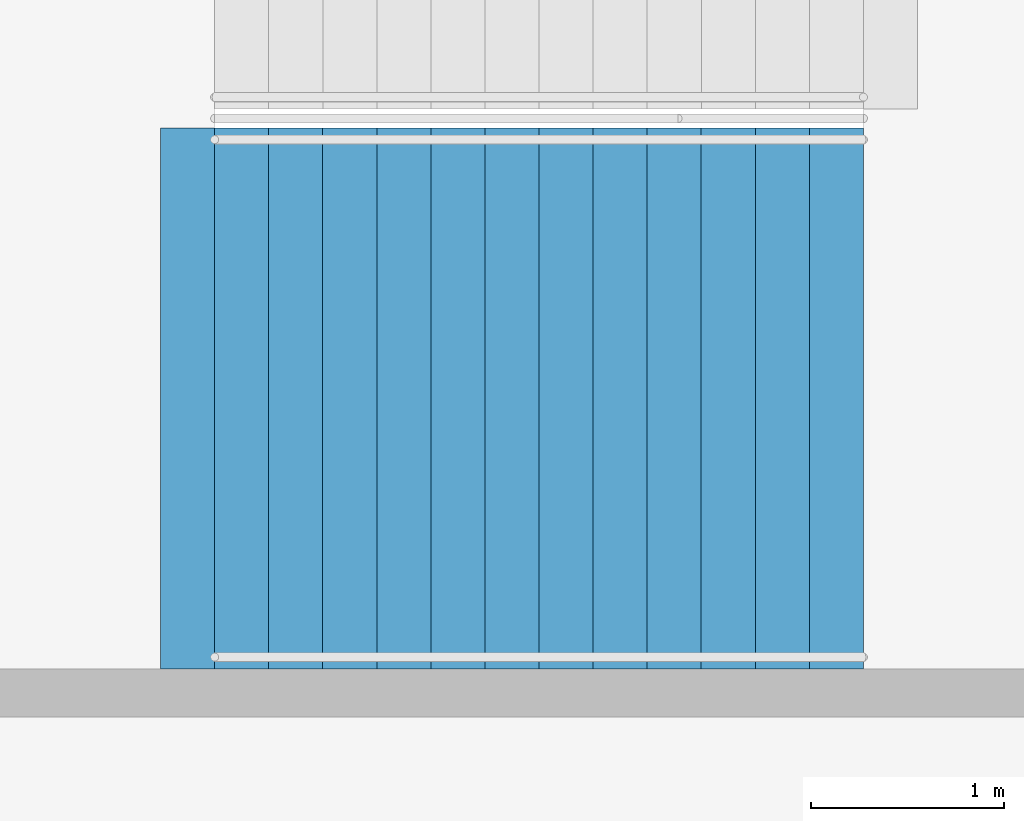
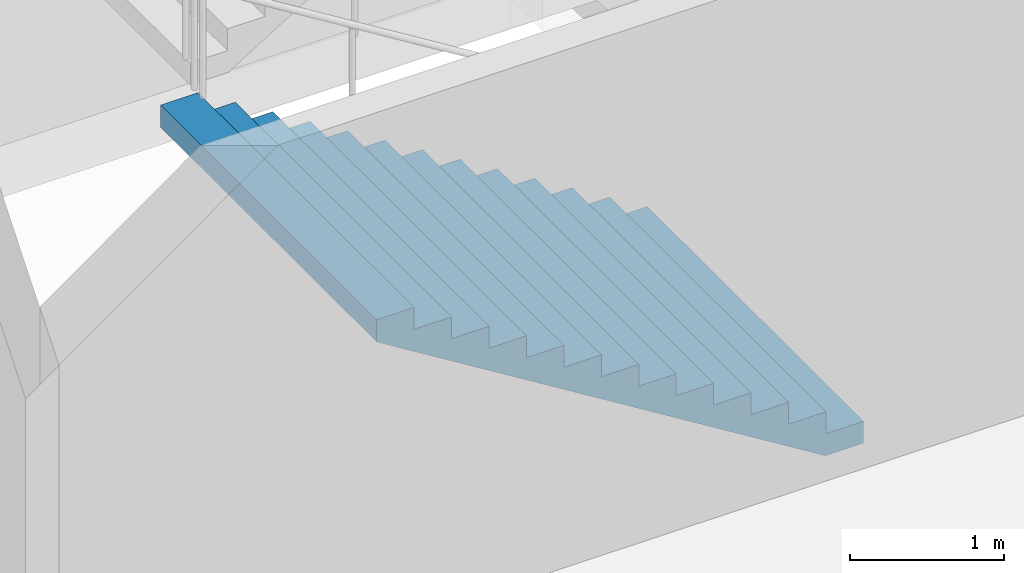
# One storey, part 108 of 177: 1 stair flight, 1 element without a shape of its own.
"""IFC4 building model written with IfcOpenShell, lengths in metres."""

from ifc_helpers import new_model, si_unit, direction, frame, origin, place, context, subcontext, project, spatial, faceted_brep, material, type_object, element, aggregate, save


model = new_model("IFC4")

# Units and contexts
model_context = context("Model", 3, precision=1e-05, world=origin(), true_north=direction((0.0, 1.0)))
body_context = subcontext(model_context, "Body", "Model", "MODEL_VIEW")
ifc_project = project(units=[si_unit("LENGTHUNIT", "METRE"), si_unit("AREAUNIT", "SQUARE_METRE"), si_unit("VOLUMEUNIT", "CUBIC_METRE"), si_unit("PLANEANGLEUNIT", "RADIAN"), si_unit("MASSUNIT", "GRAM", prefix="KILO")], contexts=[model_context])

# Site, building, storey
site_placement = place(None, origin())
site = spatial("IfcSite", under=ifc_project, at=site_placement, CompositionType="ELEMENT")
building_placement = place(site_placement, origin())
building = spatial("IfcBuilding", under=site, at=building_placement, Name="Ogive Plaza Stadium", CompositionType="ELEMENT")
storey_placement = place(building_placement, frame((0.0, 0.0, 18.0)))
storey = spatial("IfcBuildingStorey", under=building, at=storey_placement, Name="L04", CompositionType="ELEMENT", Elevation=18.0)

# Stair, stair flight
ifc_material_1 = material(Name="Concrete C40/50", Category="concrete")
stair_type = type_object("IfcStairType", Name="Exit stair", PredefinedType="STRAIGHT_RUN_STAIR", material=ifc_material_1)
stair_placement = place(storey_placement, origin())
stair = element("IfcStair", 1, at=stair_placement, inside=storey, type_object=stair_type, Name="Exit stair ST24B L04 to L05", PredefinedType="STRAIGHT_RUN_STAIR")
ifc_material_2 = material(Name="Concrete C40/50", Category="concrete")
stair_flight_type = type_object("IfcStairFlightType", Name="Exit stair flight", PredefinedType="STRAIGHT", material=ifc_material_2)
stair_flight_placement = place(storey_placement, frame((-76.35009765625, -11.925048828125, 0.0), z_axis=(0.0, 0.0, 1.0), x_axis=(-1.0, 0.0, 0.0)))
stair_flight = element("IfcStairFlight", 2, at=stair_flight_placement, type_object=stair_flight_type, Name="ST24B flight 1", NumberOfRisers=13, NumberOfTreads=12, PredefinedType="STRAIGHT", RiserHeight=0.173076923, TreadLength=0.28, context=body_context, shape_type="Brep", body=[
    faceted_brep([(0.28515625, -1.39990234375, 0.0), (3.639892578125, -1.39990234375, 2.07373046875), (3.639892578125, -1.39990234375, 2.25), (3.360107421875, -1.39990234375, 2.25), (3.360107421875, -1.39990234375, 2.076904296875), (3.080078125, -1.39990234375, 2.076904296875), (3.080078125, -1.39990234375, 1.90380859375), (2.800048828125, -1.39990234375, 1.90380859375), (2.800048828125, -1.39990234375, 1.730712890625), (2.52001953125, -1.39990234375, 1.730712890625), (2.52001953125, -1.39990234375, 1.5576171875), (2.239990234375, -1.39990234375, 1.5576171875), (2.239990234375, -1.39990234375, 1.384521484375), (1.9599609375, -1.39990234375, 1.384521484375), (1.9599609375, -1.39990234375, 1.21142578125), (1.679931640625, -1.39990234375, 1.21142578125), (1.679931640625, -1.39990234375, 1.03857421875), (1.39990234375, -1.39990234375, 1.03857421875), (1.39990234375, -1.39990234375, 0.865478515625), (1.1201171875, -1.39990234375, 0.865478515625), (1.1201171875, -1.39990234375, 0.6923828125), (0.840087890625, -1.39990234375, 0.6923828125), (0.840087890625, -1.39990234375, 0.519287109375), (0.56005859375, -1.39990234375, 0.519287109375), (0.56005859375, -1.39990234375, 0.34619140625), (0.280029296875, -1.39990234375, 0.34619140625), (0.280029296875, -1.39990234375, 0.173095703125), (0.0, -1.39990234375, 0.173095703125), (0.0, -1.39990234375, 0.0), (0.0, 1.39990234375, 0.0), (0.0, 1.39990234375, 0.173095703125), (0.280029296875, 1.39990234375, 0.173095703125), (0.280029296875, 1.39990234375, 0.34619140625), (0.56005859375, 1.39990234375, 0.34619140625), (0.56005859375, 1.39990234375, 0.519287109375), (0.840087890625, 1.39990234375, 0.519287109375), (0.840087890625, 1.39990234375, 0.6923828125), (1.1201171875, 1.39990234375, 0.6923828125), (1.1201171875, 1.39990234375, 0.865478515625), (1.39990234375, 1.39990234375, 0.865478515625), (1.39990234375, 1.39990234375, 1.03857421875), (1.679931640625, 1.39990234375, 1.03857421875), (1.679931640625, 1.39990234375, 1.21142578125), (1.9599609375, 1.39990234375, 1.21142578125), (1.9599609375, 1.39990234375, 1.384521484375), (2.239990234375, 1.39990234375, 1.384521484375), (2.239990234375, 1.39990234375, 1.5576171875), (2.52001953125, 1.39990234375, 1.5576171875), (2.52001953125, 1.39990234375, 1.730712890625), (2.800048828125, 1.39990234375, 1.730712890625), (2.800048828125, 1.39990234375, 1.90380859375), (3.080078125, 1.39990234375, 1.90380859375), (3.080078125, 1.39990234375, 2.076904296875), (3.360107421875, 1.39990234375, 2.076904296875), (3.360107421875, 1.39990234375, 2.25), (3.639892578125, 1.39990234375, 2.25), (3.639892578125, 1.39990234375, 2.07373046875), (0.28515625, 1.39990234375, 0.0), (0.28515625, -1.0888671875, 0.0), (3.639892578125, -1.0888671875, 2.07373046875), (0.28515625, -0.77783203125, 0.0), (3.639892578125, -0.77783203125, 2.07373046875), (0.28515625, -0.466796875, 0.0), (3.639892578125, -0.466796875, 2.07373046875), (0.28515625, -0.155517578125, 0.0), (3.639892578125, -0.155517578125, 2.07373046875), (0.28515625, 0.155517578125, 0.0), (3.639892578125, 0.155517578125, 2.07373046875), (0.28515625, 0.466796875, 0.0), (3.639892578125, 0.466796875, 2.07373046875), (0.28515625, 0.77783203125, 0.0), (3.639892578125, 0.77783203125, 2.07373046875), (0.28515625, 1.0888671875, 0.0), (3.639892578125, 1.0888671875, 2.07373046875), (3.639892578125, -1.0888671875, 2.25), (3.639892578125, -0.77783203125, 2.25), (3.639892578125, -0.466796875, 2.25), (3.639892578125, -0.155517578125, 2.25), (3.639892578125, 0.155517578125, 2.25), (3.639892578125, 0.466796875, 2.25), (3.639892578125, 0.77783203125, 2.25), (3.639892578125, 1.0888671875, 2.25), (3.360107421875, -1.0888671875, 2.25), (3.360107421875, -0.77783203125, 2.25), (3.360107421875, -0.466796875, 2.25), (3.360107421875, -0.155517578125, 2.25), (3.360107421875, 0.155517578125, 2.25), (3.360107421875, 0.466796875, 2.25), (3.360107421875, 0.77783203125, 2.25), (3.360107421875, 1.0888671875, 2.25), (3.360107421875, -1.0888671875, 2.076904296875), (3.360107421875, -0.77783203125, 2.076904296875), (3.360107421875, -0.466796875, 2.076904296875), (3.360107421875, -0.155517578125, 2.076904296875), (3.360107421875, 0.155517578125, 2.076904296875), (3.360107421875, 0.466796875, 2.076904296875), (3.360107421875, 0.77783203125, 2.076904296875), (3.360107421875, 1.0888671875, 2.076904296875), (3.080078125, -1.0888671875, 2.076904296875), (3.080078125, -0.77783203125, 2.076904296875), (3.080078125, -0.466796875, 2.076904296875), (3.080078125, -0.155517578125, 2.076904296875), (3.080078125, 0.155517578125, 2.076904296875), (3.080078125, 0.466796875, 2.076904296875), (3.080078125, 0.77783203125, 2.076904296875), (3.080078125, 1.0888671875, 2.076904296875), (3.080078125, -1.0888671875, 1.90380859375), (3.080078125, -0.77783203125, 1.90380859375), (3.080078125, -0.466796875, 1.90380859375), (3.080078125, -0.155517578125, 1.90380859375), (3.080078125, 0.155517578125, 1.90380859375), (3.080078125, 0.466796875, 1.90380859375), (3.080078125, 0.77783203125, 1.90380859375), (3.080078125, 1.0888671875, 1.90380859375), (2.800048828125, -1.0888671875, 1.90380859375), (2.800048828125, -0.77783203125, 1.90380859375), (2.800048828125, -0.466796875, 1.90380859375), (2.800048828125, -0.155517578125, 1.90380859375), (2.800048828125, 0.155517578125, 1.90380859375), (2.800048828125, 0.466796875, 1.90380859375), (2.800048828125, 0.77783203125, 1.90380859375), (2.800048828125, 1.0888671875, 1.90380859375), (2.800048828125, -1.0888671875, 1.730712890625), (2.800048828125, -0.77783203125, 1.730712890625), (2.800048828125, -0.466796875, 1.730712890625), (2.800048828125, -0.155517578125, 1.730712890625), (2.800048828125, 0.155517578125, 1.730712890625), (2.800048828125, 0.466796875, 1.730712890625), (2.800048828125, 0.77783203125, 1.730712890625), (2.800048828125, 1.0888671875, 1.730712890625), (2.52001953125, -1.0888671875, 1.730712890625), (2.52001953125, -0.77783203125, 1.730712890625), (2.52001953125, -0.466796875, 1.730712890625), (2.52001953125, -0.155517578125, 1.730712890625), (2.52001953125, 0.155517578125, 1.730712890625), (2.52001953125, 0.466796875, 1.730712890625), (2.52001953125, 0.77783203125, 1.730712890625), (2.52001953125, 1.0888671875, 1.730712890625), (2.52001953125, -1.0888671875, 1.5576171875), (2.52001953125, -0.77783203125, 1.5576171875), (2.52001953125, -0.466796875, 1.5576171875), (2.52001953125, -0.155517578125, 1.5576171875), (2.52001953125, 0.155517578125, 1.5576171875), (2.52001953125, 0.466796875, 1.5576171875), (2.52001953125, 0.77783203125, 1.5576171875), (2.52001953125, 1.0888671875, 1.5576171875), (2.239990234375, -1.0888671875, 1.5576171875), (2.239990234375, -0.77783203125, 1.5576171875), (2.239990234375, -0.466796875, 1.5576171875), (2.239990234375, -0.155517578125, 1.5576171875), (2.239990234375, 0.155517578125, 1.5576171875), (2.239990234375, 0.466796875, 1.5576171875), (2.239990234375, 0.77783203125, 1.5576171875), (2.239990234375, 1.0888671875, 1.5576171875), (2.239990234375, -1.0888671875, 1.384521484375), (2.239990234375, -0.77783203125, 1.384521484375), (2.239990234375, -0.466796875, 1.384521484375), (2.239990234375, -0.155517578125, 1.384521484375), (2.239990234375, 0.155517578125, 1.384521484375), (2.239990234375, 0.466796875, 1.384521484375), (2.239990234375, 0.77783203125, 1.384521484375), (2.239990234375, 1.0888671875, 1.384521484375), (1.9599609375, -1.0888671875, 1.384521484375), (1.9599609375, -0.77783203125, 1.384521484375), (1.9599609375, -0.466796875, 1.384521484375), (1.9599609375, -0.155517578125, 1.384521484375), (1.9599609375, 0.155517578125, 1.384521484375), (1.9599609375, 0.466796875, 1.384521484375), (1.9599609375, 0.77783203125, 1.384521484375), (1.9599609375, 1.0888671875, 1.384521484375), (1.9599609375, -1.0888671875, 1.21142578125), (1.9599609375, -0.77783203125, 1.21142578125), (1.9599609375, -0.466796875, 1.21142578125), (1.9599609375, -0.155517578125, 1.21142578125), (1.9599609375, 0.155517578125, 1.21142578125), (1.9599609375, 0.466796875, 1.21142578125), (1.9599609375, 0.77783203125, 1.21142578125), (1.9599609375, 1.0888671875, 1.21142578125), (1.679931640625, -1.0888671875, 1.21142578125), (1.679931640625, -0.77783203125, 1.21142578125), (1.679931640625, -0.466796875, 1.21142578125), (1.679931640625, -0.155517578125, 1.21142578125), (1.679931640625, 0.155517578125, 1.21142578125), (1.679931640625, 0.466796875, 1.21142578125), (1.679931640625, 0.77783203125, 1.21142578125), (1.679931640625, 1.0888671875, 1.21142578125), (1.679931640625, -1.0888671875, 1.03857421875), (1.679931640625, -0.77783203125, 1.03857421875), (1.679931640625, -0.466796875, 1.03857421875), (1.679931640625, -0.155517578125, 1.03857421875), (1.679931640625, 0.155517578125, 1.03857421875), (1.679931640625, 0.466796875, 1.03857421875), (1.679931640625, 0.77783203125, 1.03857421875), (1.679931640625, 1.0888671875, 1.03857421875), (1.39990234375, -1.0888671875, 1.03857421875), (1.39990234375, -0.77783203125, 1.03857421875), (1.39990234375, -0.466796875, 1.03857421875), (1.39990234375, -0.155517578125, 1.03857421875), (1.39990234375, 0.155517578125, 1.03857421875), (1.39990234375, 0.466796875, 1.03857421875), (1.39990234375, 0.77783203125, 1.03857421875), (1.39990234375, 1.0888671875, 1.03857421875), (1.39990234375, -1.0888671875, 0.865478515625), (1.39990234375, -0.77783203125, 0.865478515625), (1.39990234375, -0.466796875, 0.865478515625), (1.39990234375, -0.155517578125, 0.865478515625), (1.39990234375, 0.155517578125, 0.865478515625), (1.39990234375, 0.466796875, 0.865478515625), (1.39990234375, 0.77783203125, 0.865478515625), (1.39990234375, 1.0888671875, 0.865478515625), (1.1201171875, -1.0888671875, 0.865478515625), (1.1201171875, -0.77783203125, 0.865478515625), (1.1201171875, -0.466796875, 0.865478515625), (1.1201171875, -0.155517578125, 0.865478515625), (1.1201171875, 0.155517578125, 0.865478515625), (1.1201171875, 0.466796875, 0.865478515625), (1.1201171875, 0.77783203125, 0.865478515625), (1.1201171875, 1.0888671875, 0.865478515625), (1.1201171875, -1.0888671875, 0.6923828125), (1.1201171875, -0.77783203125, 0.6923828125), (1.1201171875, -0.466796875, 0.6923828125), (1.1201171875, -0.155517578125, 0.6923828125), (1.1201171875, 0.155517578125, 0.6923828125), (1.1201171875, 0.466796875, 0.6923828125), (1.1201171875, 0.77783203125, 0.6923828125), (1.1201171875, 1.0888671875, 0.6923828125), (0.840087890625, -1.0888671875, 0.6923828125), (0.840087890625, -0.77783203125, 0.6923828125), (0.840087890625, -0.466796875, 0.6923828125), (0.840087890625, -0.155517578125, 0.6923828125), (0.840087890625, 0.155517578125, 0.6923828125), (0.840087890625, 0.466796875, 0.6923828125), (0.840087890625, 0.77783203125, 0.6923828125), (0.840087890625, 1.0888671875, 0.6923828125), (0.840087890625, -1.0888671875, 0.519287109375), (0.840087890625, -0.77783203125, 0.519287109375), (0.840087890625, -0.466796875, 0.519287109375), (0.840087890625, -0.155517578125, 0.519287109375), (0.840087890625, 0.155517578125, 0.519287109375), (0.840087890625, 0.466796875, 0.519287109375), (0.840087890625, 0.77783203125, 0.519287109375), (0.840087890625, 1.0888671875, 0.519287109375), (0.56005859375, -1.0888671875, 0.519287109375), (0.56005859375, -0.77783203125, 0.519287109375), (0.56005859375, -0.466796875, 0.519287109375), (0.56005859375, -0.155517578125, 0.519287109375), (0.56005859375, 0.155517578125, 0.519287109375), (0.56005859375, 0.466796875, 0.519287109375), (0.56005859375, 0.77783203125, 0.519287109375), (0.56005859375, 1.0888671875, 0.519287109375), (0.56005859375, -1.0888671875, 0.34619140625), (0.56005859375, -0.77783203125, 0.34619140625), (0.56005859375, -0.466796875, 0.34619140625), (0.56005859375, -0.155517578125, 0.34619140625), (0.56005859375, 0.155517578125, 0.34619140625), (0.56005859375, 0.466796875, 0.34619140625), (0.56005859375, 0.77783203125, 0.34619140625), (0.56005859375, 1.0888671875, 0.34619140625), (0.280029296875, -1.0888671875, 0.34619140625), (0.280029296875, -0.77783203125, 0.34619140625), (0.280029296875, -0.466796875, 0.34619140625), (0.280029296875, -0.155517578125, 0.34619140625), (0.280029296875, 0.155517578125, 0.34619140625), (0.280029296875, 0.466796875, 0.34619140625), (0.280029296875, 0.77783203125, 0.34619140625), (0.280029296875, 1.0888671875, 0.34619140625), (0.280029296875, -1.0888671875, 0.173095703125), (0.280029296875, -0.77783203125, 0.173095703125), (0.280029296875, -0.466796875, 0.173095703125), (0.280029296875, -0.155517578125, 0.173095703125), (0.280029296875, 0.155517578125, 0.173095703125), (0.280029296875, 0.466796875, 0.173095703125), (0.280029296875, 0.77783203125, 0.173095703125), (0.280029296875, 1.0888671875, 0.173095703125), (0.0, -1.0888671875, 0.173095703125), (0.0, -0.77783203125, 0.173095703125), (0.0, -0.466796875, 0.173095703125), (0.0, -0.155517578125, 0.173095703125), (0.0, 0.155517578125, 0.173095703125), (0.0, 0.466796875, 0.173095703125), (0.0, 0.77783203125, 0.173095703125), (0.0, 1.0888671875, 0.173095703125), (0.0, -1.0888671875, 0.0), (0.0, -0.77783203125, 0.0), (0.0, -0.466796875, 0.0), (0.0, -0.155517578125, 0.0), (0.0, 0.155517578125, 0.0), (0.0, 0.466796875, 0.0), (0.0, 0.77783203125, 0.0), (0.0, 1.0888671875, 0.0)], [[[0, 1, 2, 3, 4, 5, 6, 7, 8, 9, 10, 11, 12, 13, 14, 15, 16, 17, 18, 19, 20, 21, 22, 23, 24, 25, 26, 27, 28]], [[29, 30, 31, 32, 33, 34, 35, 36, 37, 38, 39, 40, 41, 42, 43, 44, 45, 46, 47, 48, 49, 50, 51, 52, 53, 54, 55, 56, 57]], [[0, 58, 59, 1]], [[58, 60, 61, 59]], [[60, 62, 63, 61]], [[62, 64, 65, 63]], [[64, 66, 67, 65]], [[66, 68, 69, 67]], [[68, 70, 71, 69]], [[70, 72, 73, 71]], [[72, 57, 56, 73]], [[1, 59, 74, 2]], [[59, 61, 75, 74]], [[61, 63, 76, 75]], [[63, 65, 77, 76]], [[65, 67, 78, 77]], [[67, 69, 79, 78]], [[69, 71, 80, 79]], [[71, 73, 81, 80]], [[73, 56, 55, 81]], [[2, 74, 82, 3]], [[74, 75, 83, 82]], [[75, 76, 84, 83]], [[76, 77, 85, 84]], [[77, 78, 86, 85]], [[78, 79, 87, 86]], [[79, 80, 88, 87]], [[80, 81, 89, 88]], [[81, 55, 54, 89]], [[3, 82, 90, 4]], [[82, 83, 91, 90]], [[83, 84, 92, 91]], [[84, 85, 93, 92]], [[85, 86, 94, 93]], [[86, 87, 95, 94]], [[87, 88, 96, 95]], [[88, 89, 97, 96]], [[89, 54, 53, 97]], [[4, 90, 98, 5]], [[90, 91, 99, 98]], [[91, 92, 100, 99]], [[92, 93, 101, 100]], [[93, 94, 102, 101]], [[94, 95, 103, 102]], [[95, 96, 104, 103]], [[96, 97, 105, 104]], [[97, 53, 52, 105]], [[5, 98, 106, 6]], [[98, 99, 107, 106]], [[99, 100, 108, 107]], [[100, 101, 109, 108]], [[101, 102, 110, 109]], [[102, 103, 111, 110]], [[103, 104, 112, 111]], [[104, 105, 113, 112]], [[105, 52, 51, 113]], [[6, 106, 114, 7]], [[106, 107, 115, 114]], [[107, 108, 116, 115]], [[108, 109, 117, 116]], [[109, 110, 118, 117]], [[110, 111, 119, 118]], [[111, 112, 120, 119]], [[112, 113, 121, 120]], [[113, 51, 50, 121]], [[7, 114, 122, 8]], [[114, 115, 123, 122]], [[115, 116, 124, 123]], [[116, 117, 125, 124]], [[117, 118, 126, 125]], [[118, 119, 127, 126]], [[119, 120, 128, 127]], [[120, 121, 129, 128]], [[121, 50, 49, 129]], [[8, 122, 130, 9]], [[122, 123, 131, 130]], [[123, 124, 132, 131]], [[124, 125, 133, 132]], [[125, 126, 134, 133]], [[126, 127, 135, 134]], [[127, 128, 136, 135]], [[128, 129, 137, 136]], [[129, 49, 48, 137]], [[9, 130, 138, 10]], [[130, 131, 139, 138]], [[131, 132, 140, 139]], [[132, 133, 141, 140]], [[133, 134, 142, 141]], [[134, 135, 143, 142]], [[135, 136, 144, 143]], [[136, 137, 145, 144]], [[137, 48, 47, 145]], [[10, 138, 146, 11]], [[138, 139, 147, 146]], [[139, 140, 148, 147]], [[140, 141, 149, 148]], [[141, 142, 150, 149]], [[142, 143, 151, 150]], [[143, 144, 152, 151]], [[144, 145, 153, 152]], [[145, 47, 46, 153]], [[11, 146, 154, 12]], [[146, 147, 155, 154]], [[147, 148, 156, 155]], [[148, 149, 157, 156]], [[149, 150, 158, 157]], [[150, 151, 159, 158]], [[151, 152, 160, 159]], [[152, 153, 161, 160]], [[153, 46, 45, 161]], [[12, 154, 162, 13]], [[154, 155, 163, 162]], [[155, 156, 164, 163]], [[156, 157, 165, 164]], [[157, 158, 166, 165]], [[158, 159, 167, 166]], [[159, 160, 168, 167]], [[160, 161, 169, 168]], [[161, 45, 44, 169]], [[13, 162, 170, 14]], [[162, 163, 171, 170]], [[163, 164, 172, 171]], [[164, 165, 173, 172]], [[165, 166, 174, 173]], [[166, 167, 175, 174]], [[167, 168, 176, 175]], [[168, 169, 177, 176]], [[169, 44, 43, 177]], [[14, 170, 178, 15]], [[170, 171, 179, 178]], [[171, 172, 180, 179]], [[172, 173, 181, 180]], [[173, 174, 182, 181]], [[174, 175, 183, 182]], [[175, 176, 184, 183]], [[176, 177, 185, 184]], [[177, 43, 42, 185]], [[15, 178, 186, 16]], [[178, 179, 187, 186]], [[179, 180, 188, 187]], [[180, 181, 189, 188]], [[181, 182, 190, 189]], [[182, 183, 191, 190]], [[183, 184, 192, 191]], [[184, 185, 193, 192]], [[185, 42, 41, 193]], [[16, 186, 194, 17]], [[186, 187, 195, 194]], [[187, 188, 196, 195]], [[188, 189, 197, 196]], [[189, 190, 198, 197]], [[190, 191, 199, 198]], [[191, 192, 200, 199]], [[192, 193, 201, 200]], [[193, 41, 40, 201]], [[17, 194, 202, 18]], [[194, 195, 203, 202]], [[195, 196, 204, 203]], [[196, 197, 205, 204]], [[197, 198, 206, 205]], [[198, 199, 207, 206]], [[199, 200, 208, 207]], [[200, 201, 209, 208]], [[201, 40, 39, 209]], [[18, 202, 210, 19]], [[202, 203, 211, 210]], [[203, 204, 212, 211]], [[204, 205, 213, 212]], [[205, 206, 214, 213]], [[206, 207, 215, 214]], [[207, 208, 216, 215]], [[208, 209, 217, 216]], [[209, 39, 38, 217]], [[19, 210, 218, 20]], [[210, 211, 219, 218]], [[211, 212, 220, 219]], [[212, 213, 221, 220]], [[213, 214, 222, 221]], [[214, 215, 223, 222]], [[215, 216, 224, 223]], [[216, 217, 225, 224]], [[217, 38, 37, 225]], [[20, 218, 226, 21]], [[218, 219, 227, 226]], [[219, 220, 228, 227]], [[220, 221, 229, 228]], [[221, 222, 230, 229]], [[222, 223, 231, 230]], [[223, 224, 232, 231]], [[224, 225, 233, 232]], [[225, 37, 36, 233]], [[21, 226, 234, 22]], [[226, 227, 235, 234]], [[227, 228, 236, 235]], [[228, 229, 237, 236]], [[229, 230, 238, 237]], [[230, 231, 239, 238]], [[231, 232, 240, 239]], [[232, 233, 241, 240]], [[233, 36, 35, 241]], [[22, 234, 242, 23]], [[234, 235, 243, 242]], [[235, 236, 244, 243]], [[236, 237, 245, 244]], [[237, 238, 246, 245]], [[238, 239, 247, 246]], [[239, 240, 248, 247]], [[240, 241, 249, 248]], [[241, 35, 34, 249]], [[23, 242, 250, 24]], [[242, 243, 251, 250]], [[243, 244, 252, 251]], [[244, 245, 253, 252]], [[245, 246, 254, 253]], [[246, 247, 255, 254]], [[247, 248, 256, 255]], [[248, 249, 257, 256]], [[249, 34, 33, 257]], [[24, 250, 258, 25]], [[250, 251, 259, 258]], [[251, 252, 260, 259]], [[252, 253, 261, 260]], [[253, 254, 262, 261]], [[254, 255, 263, 262]], [[255, 256, 264, 263]], [[256, 257, 265, 264]], [[257, 33, 32, 265]], [[25, 258, 266, 26]], [[258, 259, 267, 266]], [[259, 260, 268, 267]], [[260, 261, 269, 268]], [[261, 262, 270, 269]], [[262, 263, 271, 270]], [[263, 264, 272, 271]], [[264, 265, 273, 272]], [[265, 32, 31, 273]], [[26, 266, 274, 27]], [[266, 267, 275, 274]], [[267, 268, 276, 275]], [[268, 269, 277, 276]], [[269, 270, 278, 277]], [[270, 271, 279, 278]], [[271, 272, 280, 279]], [[272, 273, 281, 280]], [[273, 31, 30, 281]], [[27, 274, 282, 28]], [[274, 275, 283, 282]], [[275, 276, 284, 283]], [[276, 277, 285, 284]], [[277, 278, 286, 285]], [[278, 279, 287, 286]], [[279, 280, 288, 287]], [[280, 281, 289, 288]], [[281, 30, 29, 289]], [[28, 282, 58, 0]], [[282, 283, 60, 58]], [[283, 284, 62, 60]], [[284, 285, 64, 62]], [[285, 286, 66, 64]], [[286, 287, 68, 66]], [[287, 288, 70, 68]], [[288, 289, 72, 70]], [[289, 29, 57, 72]]]),
])
aggregate(stair, [stair_flight])

save(model, "model.ifc")
